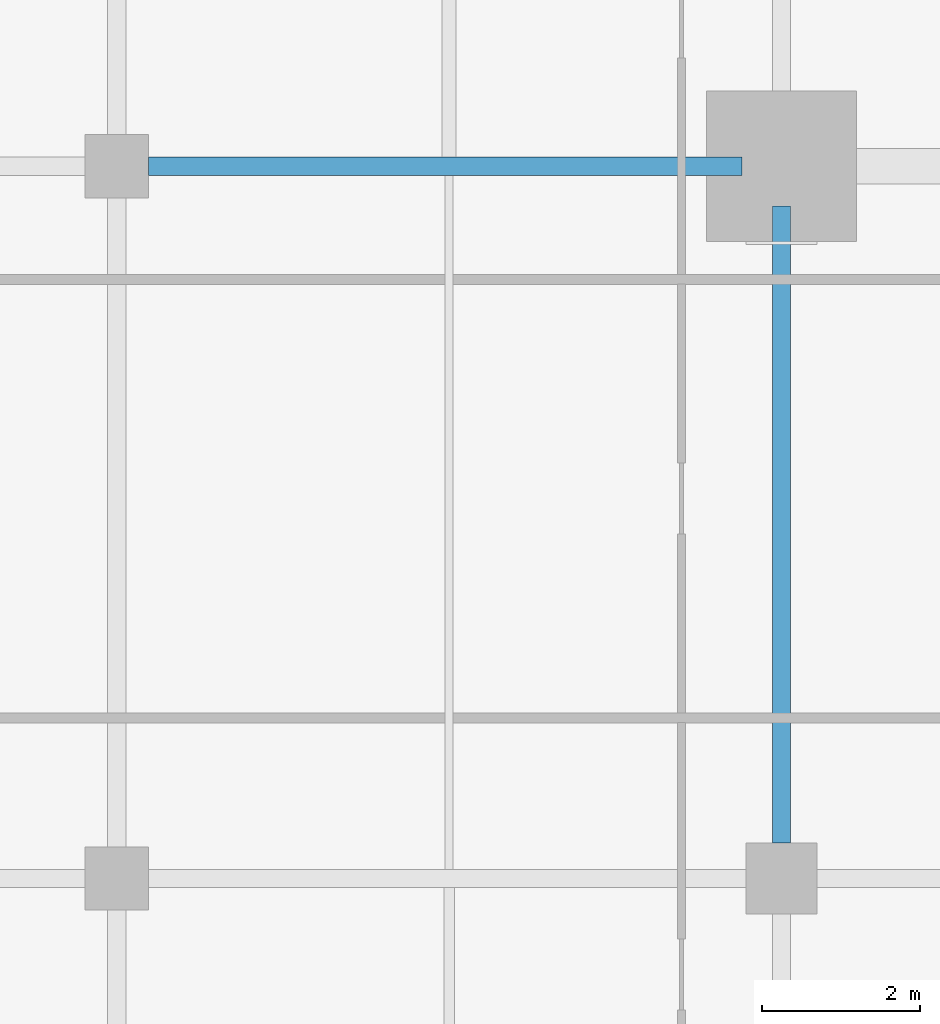
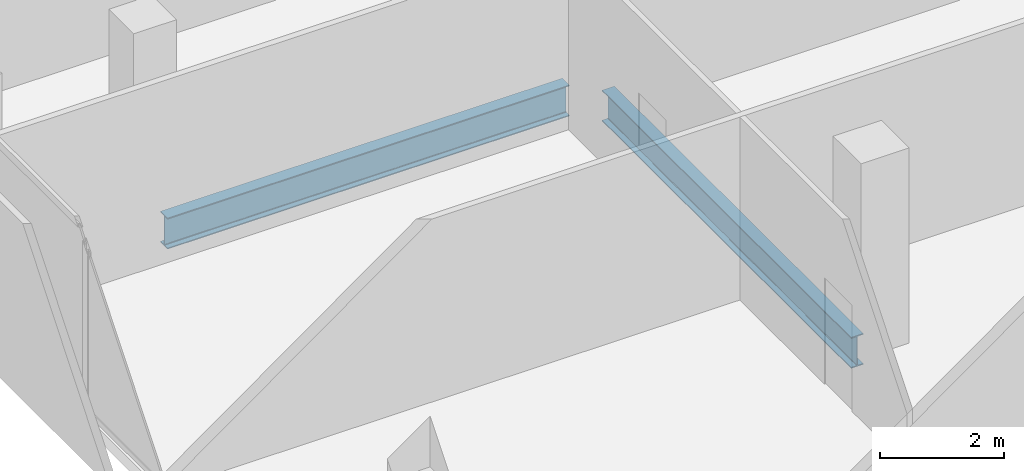
# One storey, part 9 of 33: 2 beams.
"""IFC4 building model written with IfcOpenShell, lengths in metres."""

from ifc_helpers import new_model, si_unit, direction, frame, origin, origin_2d, place, context, subcontext, project, spatial, i_section, extrude, material, material_profile, profile_set, type_object, element, save


model = new_model("IFC4")

# Units and contexts
model_context = context("Model", 3, precision=1e-05, world=origin(), true_north=direction((0.0, 1.0)))
body_context = subcontext(model_context, "Body", "Model", "MODEL_VIEW")
ifc_project = project(units=[si_unit("LENGTHUNIT", "METRE"), si_unit("AREAUNIT", "SQUARE_METRE"), si_unit("VOLUMEUNIT", "CUBIC_METRE"), si_unit("PLANEANGLEUNIT", "RADIAN"), si_unit("MASSUNIT", "GRAM", prefix="KILO")], contexts=[model_context])

# Site, building, storey
site_placement = place(None, origin())
site = spatial("IfcSite", under=ifc_project, at=site_placement, CompositionType="ELEMENT")
building_placement = place(site_placement, origin())
building = spatial("IfcBuilding", under=site, at=building_placement, Name="Maruvema Waterfront Hotel and Observation Tower", CompositionType="ELEMENT")
storey_placement = place(building_placement, frame((0.0, 0.0, 154.35009765625)))
storey = spatial("IfcBuildingStorey", under=building, at=storey_placement, Name="L37", CompositionType="ELEMENT", Elevation=154.35009765625)

# Beams
ifc_material = material(Name="Steel ASTM A572 Grade 50", Category="steel")
ifc_material_profile = material_profile(ifc_material, i_section(OverallWidth=0.22900390625, OverallDepth=0.612060546875, WebThickness=0.011962890625, FlangeThickness=0.01953125, FilletRadius=0.01806640625, at=origin_2d()), Name="W610x125.0")
ifc_profile_set = profile_set([ifc_material_profile], Name="Steel ASTM A572 Grade 50")
beam_type = type_object("IfcBeamType", Name="Primary Floor Girder W610x125.0", PredefinedType="BEAM", material=ifc_profile_set)
beam_1_placement = place(storey_placement, frame((17.199951171875, 27.0, -0.546142578125), z_axis=(1.0, 0.0, 0.0), x_axis=(0.0, 1.0, 0.0)))
element("IfcBeam", 1, at=beam_1_placement, inside=storey, type_object=beam_type, Name="L37 Floor Girder EW-19", PredefinedType="BEAM", context=body_context, shape_type="SweptSolid", body=[
    extrude(i_section(OverallWidth=0.22900390625, OverallDepth=0.612060546875, WebThickness=0.011962890625, FlangeThickness=0.01953125, FilletRadius=0.01806640625, at=origin_2d()), origin(), (0.0, 0.0, 1.0), 7.5),
])
beam_2_placement = place(storey_placement, frame((25.199951171875, 18.449951171875, -0.546142578125), z_axis=(0.0, 1.0, 0.0), x_axis=(-1.0, 0.0, 0.0)))
element("IfcBeam", 2, at=beam_2_placement, inside=storey, type_object=beam_type, Name="L37 Floor Girder NS-11", PredefinedType="BEAM", context=body_context, shape_type="SweptSolid", body=[
    extrude(i_section(OverallWidth=0.22900390625, OverallDepth=0.612060546875, WebThickness=0.011962890625, FlangeThickness=0.01953125, FilletRadius=0.01806640625, at=origin_2d()), origin(), (0.0, 0.0, 1.0), 8.050048828125),
])

save(model, "model.ifc")
